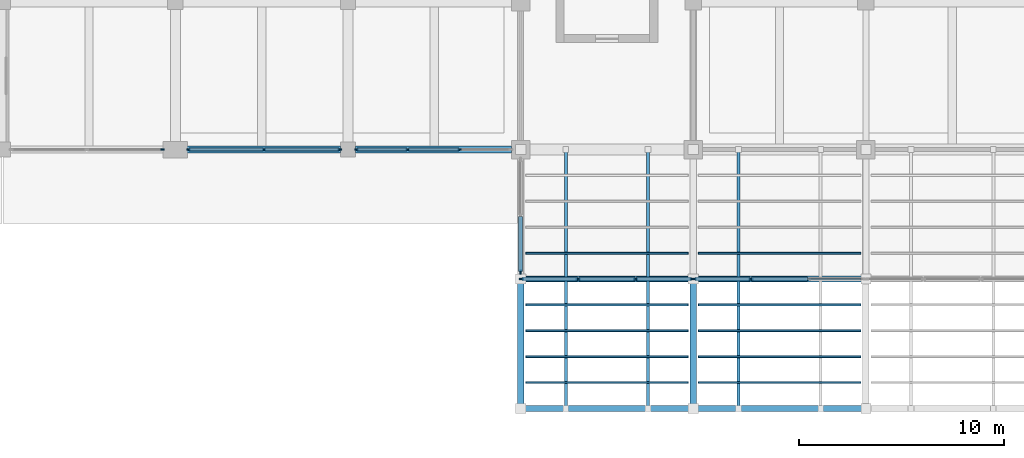
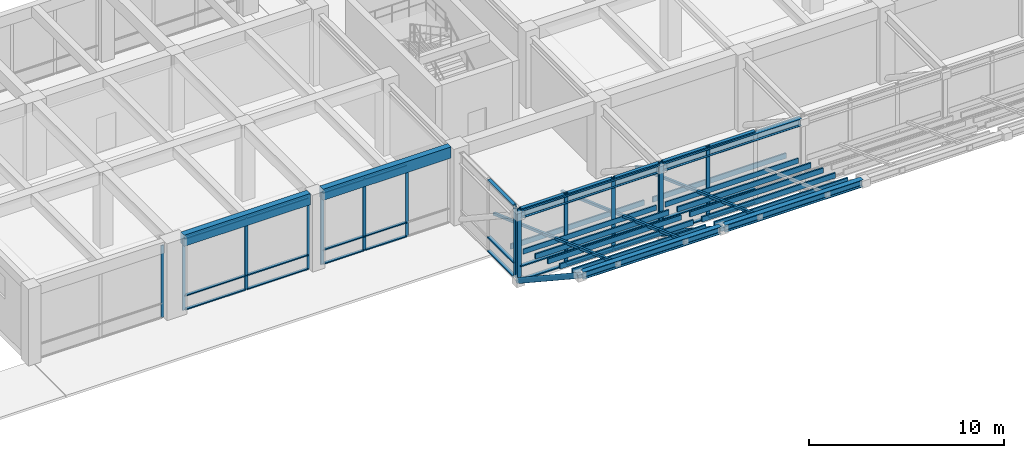
# One storey, part 4 of 52: 61 members, 6 beams, 6 elements without a shape of their own.
"""IFC4 building model written with IfcOpenShell, lengths in metres."""

from ifc_helpers import new_model, si_unit, direction, frame, origin, origin_2d, place, context, subcontext, project, spatial, rectangle, hollow_rectangle, hollow_circle, i_section, extrude, material, material_profile, profile_set, type_object, element, aggregate, save


model = new_model("IFC4")

# Units and contexts
model_context = context("Model", 3, precision=1e-05, world=origin(), true_north=direction((0.0, 1.0)))
body_context = subcontext(model_context, "Body", "Model", "MODEL_VIEW")
ifc_project = project(units=[si_unit("LENGTHUNIT", "METRE"), si_unit("AREAUNIT", "SQUARE_METRE"), si_unit("VOLUMEUNIT", "CUBIC_METRE"), si_unit("PLANEANGLEUNIT", "RADIAN"), si_unit("MASSUNIT", "GRAM", prefix="KILO")], contexts=[model_context])

# Site, building, storey
site_placement = place(None, origin())
site = spatial("IfcSite", under=ifc_project, at=site_placement, CompositionType="ELEMENT")
building_placement = place(site_placement, origin())
building = spatial("IfcBuilding", under=site, at=building_placement, Name="Kenerak Square Central Library", CompositionType="ELEMENT")
storey_placement = place(building_placement, frame((0.0, 0.0, 4.800048828125)))
storey = spatial("IfcBuildingStorey", under=building, at=storey_placement, Name="L01", CompositionType="ELEMENT", Elevation=4.800048828125)

# Members
ifc_material_1 = material(Name="Chengal hardwood timber SG1", Category="wood")
ifc_material_profile_1 = material_profile(ifc_material_1, rectangle(XDim=0.090087890625, YDim=0.320068359375, at=origin_2d()), Name="CHENGAL 90x320")
ifc_profile_set_1 = profile_set([ifc_material_profile_1], Name="Chengal hardwood timber SG1")
member_type_1 = type_object("IfcMemberType", Name="Chengal Timber Louvre Blade CL-01 90x320", PredefinedType="USERDEFINED", material=ifc_profile_set_1)
for number, where, z_axis, x_axis, name in (
    (1, (58.64990234375, 11.760009765625, 1.280029296875), (1.0, 0.0, 0.0), (0.0, 1.0, 0.0), "Chengal Soffit Louvre Blade CL-01 0006"),
    (2, (58.64990234375, 10.5, 1.73486328125), (1.0, 0.0, 0.0), (0.0, 1.0, 0.0), "Chengal Soffit Louvre Blade CL-01 0007"),
    (3, (58.64990234375, 9.239990234375, 2.18994140625), (1.0, 0.0, 0.0), (0.0, 1.0, 0.0), "Chengal Soffit Louvre Blade CL-01 0008"),
    (4, (58.64990234375, 7.97998046875, 2.64501953125), (1.0, 0.0, 0.0), (0.0, 1.0, 0.0), "Chengal Soffit Louvre Blade CL-01 0009"),
    (5, (58.64990234375, 6.719970703125, 3.099853515625), (1.0, 0.0, 0.0), (0.0, 1.0, 0.0), "Chengal Soffit Louvre Blade CL-01 0010"),
    (6, (58.64990234375, 5.4599609375, 3.554931640625), (1.0, 0.0, 0.0), (0.0, 1.0, 0.0), "Chengal Soffit Louvre Blade CL-01 0011"),
):
    element("IfcMember", number, at=place(storey_placement, frame(where, z_axis=z_axis, x_axis=x_axis)), inside=storey, type_object=member_type_1, Name=name, ObjectType="LOUVRE BLADE", PredefinedType="USERDEFINED", context=body_context, shape_type="SweptSolid", body=[
        extrude(rectangle(XDim=0.090087890625, YDim=0.320068359375, at=origin_2d()), origin(), (0.0, 0.0, 1.0), 7.900146484375),
    ])
for number, where, z_axis, x_axis, name in (
    (7, (67.050048828125, 11.760009765625, 1.280029296875), (1.0, 0.0, 0.0), (0.0, 1.0, 0.0), "Chengal Soffit Louvre Blade CL-01 0017"),
    (8, (67.050048828125, 10.5, 1.73486328125), (1.0, 0.0, 0.0), (0.0, 1.0, 0.0), "Chengal Soffit Louvre Blade CL-01 0018"),
    (9, (67.050048828125, 9.239990234375, 2.18994140625), (1.0, 0.0, 0.0), (0.0, 1.0, 0.0), "Chengal Soffit Louvre Blade CL-01 0019"),
    (10, (67.050048828125, 7.97998046875, 2.64501953125), (1.0, 0.0, 0.0), (0.0, 1.0, 0.0), "Chengal Soffit Louvre Blade CL-01 0020"),
    (11, (67.050048828125, 6.719970703125, 3.099853515625), (1.0, 0.0, 0.0), (0.0, 1.0, 0.0), "Chengal Soffit Louvre Blade CL-01 0021"),
    (12, (67.050048828125, 5.4599609375, 3.554931640625), (1.0, 0.0, 0.0), (0.0, 1.0, 0.0), "Chengal Soffit Louvre Blade CL-01 0022"),
):
    element("IfcMember", number, at=place(storey_placement, frame(where, z_axis=z_axis, x_axis=x_axis)), inside=storey, type_object=member_type_1, Name=name, ObjectType="LOUVRE BLADE", PredefinedType="USERDEFINED", context=body_context, shape_type="SweptSolid", body=[
        extrude(rectangle(XDim=0.090087890625, YDim=0.320068359375, at=origin_2d()), origin(), (0.0, 0.0, 1.0), 7.89990234375),
    ])

# Curtain wall, members
ifc_material_2 = material(Name="Anodised aluminium and solar-control low-E glazing", Category="aluminium")
curtain_wall_type_1 = type_object("IfcCurtainWallType", Name="Curtain Wall CW-V6-75x45 7575x4500", PredefinedType="USERDEFINED", material=ifc_material_2)
curtain_wall_1_placement = place(storey_placement, origin())
curtain_wall_1 = element("IfcCurtainWall", 13, at=curtain_wall_1_placement, inside=storey, type_object=curtain_wall_type_1, Name="Curtain Wall CW-V6-75x45 L01 0056", ObjectType="CURTAIN WALL", PredefinedType="USERDEFINED")
ifc_material_3 = material(Name="Anodised aluminium 6063-T6", Category="aluminium")
ifc_material_profile_2 = material_profile(ifc_material_3, rectangle(XDim=0.06494140625, YDim=0.179931640625, at=origin_2d()), Name="AL MULLION 65x180")
ifc_profile_set_2 = profile_set([ifc_material_profile_2], Name="Anodised aluminium 6063-T6")
member_type_2 = type_object("IfcMemberType", Name="Curtain Mullion CM-01 65x180", PredefinedType="MULLION", material=ifc_profile_set_2)
member_1_placement = place(storey_placement, frame((55.425048828125, 16.800048828125, 0.0), z_axis=(0.0, 0.0, 1.0), x_axis=(0.0, -1.0, 0.0)))
member_1 = element("IfcMember", 14, at=member_1_placement, type_object=member_type_2, Name="CW-V6-75x45 Mullion 2", PredefinedType="MULLION", context=body_context, shape_type="SweptSolid", body=[
    extrude(rectangle(XDim=0.06494140625, YDim=0.179931640625, at=origin_2d()), origin(), (0.0, 0.0, 1.0), 4.5),
])
member_2_placement = place(storey_placement, frame((52.89990234375, 16.800048828125, 0.0), z_axis=(0.0, 0.0, 1.0), x_axis=(0.0, -1.0, 0.0)))
member_2 = element("IfcMember", 15, at=member_2_placement, type_object=member_type_2, Name="CW-V6-75x45 Mullion 3", PredefinedType="MULLION", context=body_context, shape_type="SweptSolid", body=[
    extrude(rectangle(XDim=0.06494140625, YDim=0.179931640625, at=origin_2d()), origin(), (0.0, 0.0, 1.0), 4.5),
])
member_3_placement = place(storey_placement, frame((50.407470703125, 16.800048828125, 0.0), z_axis=(0.0, 0.0, 1.0), x_axis=(0.0, -1.0, 0.0)))
member_3 = element("IfcMember", 16, at=member_3_placement, type_object=member_type_2, Name="CW-V6-75x45 Mullion 4", PredefinedType="MULLION", context=body_context, shape_type="SweptSolid", body=[
    extrude(rectangle(XDim=0.06494140625, YDim=0.179931640625, at=origin_2d()), origin(), (0.0, 0.0, 1.0), 4.5),
])

curtain_wall_type_2 = type_object("IfcCurtainWallType", Name="Curtain Wall CW-V6-74x45 7425x4500", PredefinedType="USERDEFINED", material=ifc_material_2)
curtain_wall_2_placement = place(storey_placement, origin())
curtain_wall_2 = element("IfcCurtainWall", 17, at=curtain_wall_2_placement, inside=storey, type_object=curtain_wall_type_2, Name="Curtain Wall CW-V6-74x45 L01 0057", ObjectType="CURTAIN WALL", PredefinedType="USERDEFINED")
member_4_placement = place(storey_placement, frame((49.592529296875, 16.800048828125, 0.0), z_axis=(0.0, 0.0, 1.0), x_axis=(0.0, -1.0, 0.0)))
member_4 = element("IfcMember", 18, at=member_4_placement, type_object=member_type_2, Name="CW-V6-74x45 Mullion 1", PredefinedType="MULLION", context=body_context, shape_type="SweptSolid", body=[
    extrude(rectangle(XDim=0.06494140625, YDim=0.179931640625, at=origin_2d()), origin(), (0.0, 0.0, 1.0), 4.5),
])
member_5_placement = place(storey_placement, frame((45.91259765625, 16.800048828125, 0.0), z_axis=(0.0, 0.0, 1.0), x_axis=(0.0, -1.0, 0.0)))
member_5 = element("IfcMember", 19, at=member_5_placement, type_object=member_type_2, Name="CW-V6-74x45 Mullion 2", PredefinedType="MULLION", context=body_context, shape_type="SweptSolid", body=[
    extrude(rectangle(XDim=0.06494140625, YDim=0.179931640625, at=origin_2d()), origin(), (0.0, 0.0, 1.0), 4.5),
])
member_6_placement = place(storey_placement, frame((42.232421875, 16.800048828125, 0.0), z_axis=(0.0, 0.0, 1.0), x_axis=(0.0, -1.0, 0.0)))
member_6 = element("IfcMember", 20, at=member_6_placement, type_object=member_type_2, Name="CW-V6-74x45 Mullion 3", PredefinedType="MULLION", context=body_context, shape_type="SweptSolid", body=[
    extrude(rectangle(XDim=0.06494140625, YDim=0.179931640625, at=origin_2d()), origin(), (0.0, 0.0, 1.0), 4.5),
])

# Curtain wall, member
curtain_wall_3_placement = place(storey_placement, origin())
curtain_wall_3 = element("IfcCurtainWall", 21, at=curtain_wall_3_placement, inside=storey, type_object=curtain_wall_type_2, Name="Curtain Wall CW-V6-74x45 L01 0058", ObjectType="CURTAIN WALL", PredefinedType="USERDEFINED")
member_7_placement = place(storey_placement, frame((40.967529296875, 16.800048828125, 0.0), z_axis=(0.0, 0.0, 1.0), x_axis=(0.0, -1.0, 0.0)))
member_7 = element("IfcMember", 22, at=member_7_placement, type_object=member_type_2, Name="CW-V6-74x45 Mullion 1", PredefinedType="MULLION", context=body_context, shape_type="SweptSolid", body=[
    extrude(rectangle(XDim=0.06494140625, YDim=0.179931640625, at=origin_2d()), origin(), (0.0, 0.0, 1.0), 4.5),
])
aggregate(curtain_wall_3, [member_7])

# Curtain wall, members
curtain_wall_type_3 = type_object("IfcCurtainWallType", Name="Curtain Wall CW-V1-84x45 8400x4500", PredefinedType="USERDEFINED", material=ifc_material_2)
curtain_wall_4_placement = place(storey_placement, origin())
curtain_wall_4 = element("IfcCurtainWall", 23, at=curtain_wall_4_placement, inside=storey, type_object=curtain_wall_type_3, Name="Curtain Wall CW-V1-84x45 L01 0053", ObjectType="CURTAIN WALL", PredefinedType="USERDEFINED")
ifc_material_profile_3 = material_profile(ifc_material_3, rectangle(XDim=0.074951171875, YDim=0.219970703125, at=origin_2d()), Name="AL MULLION 75x220")
ifc_profile_set_3 = profile_set([ifc_material_profile_3], Name="Anodised aluminium 6063-T6")
member_type_3 = type_object("IfcMemberType", Name="Curtain Mullion CM-02 75x220", PredefinedType="MULLION", material=ifc_profile_set_3)
member_8_placement = place(storey_placement, frame((69.60009765625, 10.5, 0.0), z_axis=(0.0, 0.0, 1.0), x_axis=(0.0, -1.0, 0.0)))
member_8 = element("IfcMember", 24, at=member_8_placement, type_object=member_type_3, Name="CW-V1-84x45 Mullion 3", PredefinedType="MULLION", context=body_context, shape_type="SweptSolid", body=[
    extrude(rectangle(XDim=0.074951171875, YDim=0.219970703125, at=origin_2d()), origin(), (0.0, 0.0, 1.0), 4.5),
])
member_9_placement = place(storey_placement, frame((66.83740234375, 10.5, 0.0), z_axis=(0.0, 0.0, 1.0), x_axis=(0.0, -1.0, 0.0)))
member_9 = element("IfcMember", 25, at=member_9_placement, type_object=member_type_3, Name="CW-V1-84x45 Mullion 4", PredefinedType="MULLION", context=body_context, shape_type="SweptSolid", body=[
    extrude(rectangle(XDim=0.074951171875, YDim=0.219970703125, at=origin_2d()), origin(), (0.0, 0.0, 1.0), 4.5),
])

curtain_wall_5_placement = place(storey_placement, origin())
curtain_wall_5 = element("IfcCurtainWall", 26, at=curtain_wall_5_placement, inside=storey, type_object=curtain_wall_type_3, Name="Curtain Wall CW-V1-84x45 L01 0054", ObjectType="CURTAIN WALL", PredefinedType="USERDEFINED")
member_10_placement = place(storey_placement, frame((66.762451171875, 10.5, 0.0), z_axis=(0.0, 0.0, 1.0), x_axis=(0.0, -1.0, 0.0)))
member_10 = element("IfcMember", 27, at=member_10_placement, type_object=member_type_3, Name="CW-V1-84x45 Mullion 1", PredefinedType="MULLION", context=body_context, shape_type="SweptSolid", body=[
    extrude(rectangle(XDim=0.074951171875, YDim=0.219970703125, at=origin_2d()), origin(), (0.0, 0.0, 1.0), 4.5),
])
member_11_placement = place(storey_placement, frame((64.0, 10.5, 0.0), z_axis=(0.0, 0.0, 1.0), x_axis=(0.0, -1.0, 0.0)))
member_11 = element("IfcMember", 28, at=member_11_placement, type_object=member_type_3, Name="CW-V1-84x45 Mullion 2", PredefinedType="MULLION", context=body_context, shape_type="SweptSolid", body=[
    extrude(rectangle(XDim=0.074951171875, YDim=0.219970703125, at=origin_2d()), origin(), (0.0, 0.0, 1.0), 4.5),
])
member_12_placement = place(storey_placement, frame((61.199951171875, 10.5, 0.0), z_axis=(0.0, 0.0, 1.0), x_axis=(0.0, -1.0, 0.0)))
member_12 = element("IfcMember", 29, at=member_12_placement, type_object=member_type_3, Name="CW-V1-84x45 Mullion 3", PredefinedType="MULLION", context=body_context, shape_type="SweptSolid", body=[
    extrude(rectangle(XDim=0.074951171875, YDim=0.219970703125, at=origin_2d()), origin(), (0.0, 0.0, 1.0), 4.5),
])
member_13_placement = place(storey_placement, frame((58.4375, 10.5, 0.0), z_axis=(0.0, 0.0, 1.0), x_axis=(0.0, -1.0, 0.0)))
member_13 = element("IfcMember", 30, at=member_13_placement, type_object=member_type_3, Name="CW-V1-84x45 Mullion 4", PredefinedType="MULLION", context=body_context, shape_type="SweptSolid", body=[
    extrude(rectangle(XDim=0.074951171875, YDim=0.219970703125, at=origin_2d()), origin(), (0.0, 0.0, 1.0), 4.5),
])

# Curtain wall, member
curtain_wall_type_4 = type_object("IfcCurtainWallType", Name="Curtain Wall CW-V1-55x45 5550x4500", PredefinedType="USERDEFINED", material=ifc_material_2)
curtain_wall_6_placement = place(storey_placement, origin())
curtain_wall_6 = element("IfcCurtainWall", 31, at=curtain_wall_6_placement, inside=storey, type_object=curtain_wall_type_4, Name="Curtain Wall CW-V1-55x45 L01 0055", ObjectType="CURTAIN WALL", PredefinedType="USERDEFINED")
member_14_placement = place(storey_placement, frame((58.39990234375, 10.83740234375, 0.0), z_axis=(0.0, 0.0, 1.0), x_axis=(-1.0, 0.0, 0.0)))
member_14 = element("IfcMember", 32, at=member_14_placement, type_object=member_type_3, Name="CW-V1-55x45 Mullion 1", PredefinedType="MULLION", context=body_context, shape_type="SweptSolid", body=[
    extrude(rectangle(XDim=0.074951171875, YDim=0.219970703125, at=origin_2d()), origin(), (0.0, 0.0, 1.0), 4.5),
])

# Member
ifc_material_profile_4 = material_profile(ifc_material_3, rectangle(XDim=0.159912109375, YDim=0.06494140625, at=origin_2d()), Name="AL TRANSOM 160x65")
ifc_profile_set_4 = profile_set([ifc_material_profile_4], Name="Anodised aluminium 6063-T6")
member_type_4 = type_object("IfcMemberType", Name="Curtain Transom CT-11 160x65", PredefinedType="USERDEFINED", material=ifc_profile_set_4)
member_15_placement = place(storey_placement, frame((55.392578125, 16.800048828125, 0.032470703125), z_axis=(-1.0, 0.0, 0.0), x_axis=(0.0, -1.0, 0.0)))
member_15 = element("IfcMember", 33, at=member_15_placement, type_object=member_type_4, Name="CW-V6-75x45 Transom 2.1", ObjectType="TRANSOM", PredefinedType="USERDEFINED", context=body_context, shape_type="SweptSolid", body=[
    extrude(rectangle(XDim=0.159912109375, YDim=0.06494140625, at=origin_2d()), origin(), (0.0, 0.0, 1.0), 2.4599609375),
])

member_16_placement = place(storey_placement, frame((55.392578125, 16.800048828125, 0.89990234375), z_axis=(-1.0, 0.0, 0.0), x_axis=(0.0, -1.0, 0.0)))
member_16 = element("IfcMember", 34, at=member_16_placement, type_object=member_type_4, Name="CW-V6-75x45 Transom 2.2", ObjectType="TRANSOM", PredefinedType="USERDEFINED", context=body_context, shape_type="SweptSolid", body=[
    extrude(rectangle(XDim=0.159912109375, YDim=0.06494140625, at=origin_2d()), origin(), (0.0, 0.0, 1.0), 2.4599609375),
])

member_17_placement = place(storey_placement, frame((55.392578125, 16.800048828125, 4.467529296875), z_axis=(-1.0, 0.0, 0.0), x_axis=(0.0, -1.0, 0.0)))
member_17 = element("IfcMember", 35, at=member_17_placement, type_object=member_type_4, Name="CW-V6-75x45 Transom 2.3", ObjectType="TRANSOM", PredefinedType="USERDEFINED", context=body_context, shape_type="SweptSolid", body=[
    extrude(rectangle(XDim=0.159912109375, YDim=0.06494140625, at=origin_2d()), origin(), (0.0, 0.0, 1.0), 2.4599609375),
])

member_18_placement = place(storey_placement, frame((52.867431640625, 16.800048828125, 0.032470703125), z_axis=(-1.0, 0.0, 0.0), x_axis=(0.0, -1.0, 0.0)))
member_18 = element("IfcMember", 36, at=member_18_placement, type_object=member_type_4, Name="CW-V6-75x45 Transom 3.1", ObjectType="TRANSOM", PredefinedType="USERDEFINED", context=body_context, shape_type="SweptSolid", body=[
    extrude(rectangle(XDim=0.159912109375, YDim=0.06494140625, at=origin_2d()), origin(), (0.0, 0.0, 1.0), 2.427490234375),
])

member_19_placement = place(storey_placement, frame((52.867431640625, 16.800048828125, 0.89990234375), z_axis=(-1.0, 0.0, 0.0), x_axis=(0.0, -1.0, 0.0)))
member_19 = element("IfcMember", 37, at=member_19_placement, type_object=member_type_4, Name="CW-V6-75x45 Transom 3.2", ObjectType="TRANSOM", PredefinedType="USERDEFINED", context=body_context, shape_type="SweptSolid", body=[
    extrude(rectangle(XDim=0.159912109375, YDim=0.06494140625, at=origin_2d()), origin(), (0.0, 0.0, 1.0), 2.427490234375),
])

member_20_placement = place(storey_placement, frame((52.867431640625, 16.800048828125, 4.467529296875), z_axis=(-1.0, 0.0, 0.0), x_axis=(0.0, -1.0, 0.0)))
member_20 = element("IfcMember", 38, at=member_20_placement, type_object=member_type_4, Name="CW-V6-75x45 Transom 3.3", ObjectType="TRANSOM", PredefinedType="USERDEFINED", context=body_context, shape_type="SweptSolid", body=[
    extrude(rectangle(XDim=0.159912109375, YDim=0.06494140625, at=origin_2d()), origin(), (0.0, 0.0, 1.0), 2.427490234375),
])

aggregate(curtain_wall_1, [member_1, member_2, member_3, member_15, member_16, member_17, member_18, member_19, member_20])

member_21_placement = place(storey_placement, frame((49.56005859375, 16.800048828125, 0.032470703125), z_axis=(-1.0, 0.0, 0.0), x_axis=(0.0, -1.0, 0.0)))
member_21 = element("IfcMember", 39, at=member_21_placement, type_object=member_type_4, Name="CW-V6-74x45 Transom 1.1", ObjectType="TRANSOM", PredefinedType="USERDEFINED", context=body_context, shape_type="SweptSolid", body=[
    extrude(rectangle(XDim=0.159912109375, YDim=0.06494140625, at=origin_2d()), origin(), (0.0, 0.0, 1.0), 3.614990234375),
])

member_22_placement = place(storey_placement, frame((49.56005859375, 16.800048828125, 0.89990234375), z_axis=(-1.0, 0.0, 0.0), x_axis=(0.0, -1.0, 0.0)))
member_22 = element("IfcMember", 40, at=member_22_placement, type_object=member_type_4, Name="CW-V6-74x45 Transom 1.2", ObjectType="TRANSOM", PredefinedType="USERDEFINED", context=body_context, shape_type="SweptSolid", body=[
    extrude(rectangle(XDim=0.159912109375, YDim=0.06494140625, at=origin_2d()), origin(), (0.0, 0.0, 1.0), 3.614990234375),
])

member_23_placement = place(storey_placement, frame((49.56005859375, 16.800048828125, 4.467529296875), z_axis=(-1.0, 0.0, 0.0), x_axis=(0.0, -1.0, 0.0)))
member_23 = element("IfcMember", 41, at=member_23_placement, type_object=member_type_4, Name="CW-V6-74x45 Transom 1.3", ObjectType="TRANSOM", PredefinedType="USERDEFINED", context=body_context, shape_type="SweptSolid", body=[
    extrude(rectangle(XDim=0.159912109375, YDim=0.06494140625, at=origin_2d()), origin(), (0.0, 0.0, 1.0), 3.614990234375),
])

member_24_placement = place(storey_placement, frame((45.8798828125, 16.800048828125, 0.032470703125), z_axis=(-1.0, 0.0, 0.0), x_axis=(0.0, -1.0, 0.0)))
member_24 = element("IfcMember", 42, at=member_24_placement, type_object=member_type_4, Name="CW-V6-74x45 Transom 2.1", ObjectType="TRANSOM", PredefinedType="USERDEFINED", context=body_context, shape_type="SweptSolid", body=[
    extrude(rectangle(XDim=0.159912109375, YDim=0.06494140625, at=origin_2d()), origin(), (0.0, 0.0, 1.0), 3.614990234375),
])

member_25_placement = place(storey_placement, frame((45.8798828125, 16.800048828125, 0.89990234375), z_axis=(-1.0, 0.0, 0.0), x_axis=(0.0, -1.0, 0.0)))
member_25 = element("IfcMember", 43, at=member_25_placement, type_object=member_type_4, Name="CW-V6-74x45 Transom 2.2", ObjectType="TRANSOM", PredefinedType="USERDEFINED", context=body_context, shape_type="SweptSolid", body=[
    extrude(rectangle(XDim=0.159912109375, YDim=0.06494140625, at=origin_2d()), origin(), (0.0, 0.0, 1.0), 3.614990234375),
])

member_26_placement = place(storey_placement, frame((45.8798828125, 16.800048828125, 4.467529296875), z_axis=(-1.0, 0.0, 0.0), x_axis=(0.0, -1.0, 0.0)))
member_26 = element("IfcMember", 44, at=member_26_placement, type_object=member_type_4, Name="CW-V6-74x45 Transom 2.3", ObjectType="TRANSOM", PredefinedType="USERDEFINED", context=body_context, shape_type="SweptSolid", body=[
    extrude(rectangle(XDim=0.159912109375, YDim=0.06494140625, at=origin_2d()), origin(), (0.0, 0.0, 1.0), 3.614990234375),
])

aggregate(curtain_wall_2, [member_4, member_5, member_6, member_21, member_22, member_23, member_24, member_25, member_26])

ifc_material_profile_5 = material_profile(ifc_material_3, rectangle(XDim=0.199951171875, YDim=0.074951171875, at=origin_2d()), Name="AL TRANSOM 200x75")
ifc_profile_set_5 = profile_set([ifc_material_profile_5], Name="Anodised aluminium 6063-T6")
member_type_5 = type_object("IfcMemberType", Name="Curtain Transom CT-12 200x75", PredefinedType="USERDEFINED", material=ifc_profile_set_5)
member_27_placement = place(storey_placement, frame((72.362548828125, 10.5, 0.037353515625), z_axis=(-1.0, 0.0, 0.0), x_axis=(0.0, -1.0, 0.0)))
member_27 = element("IfcMember", 45, at=member_27_placement, type_object=member_type_5, Name="CW-V1-84x45 Transom 2.1", ObjectType="TRANSOM", PredefinedType="USERDEFINED", context=body_context, shape_type="SweptSolid", body=[
    extrude(rectangle(XDim=0.199951171875, YDim=0.074951171875, at=origin_2d()), origin(), (0.0, 0.0, 1.0), 2.72509765625),
])

member_28_placement = place(storey_placement, frame((72.362548828125, 10.5, 0.89990234375), z_axis=(-1.0, 0.0, 0.0), x_axis=(0.0, -1.0, 0.0)))
member_28 = element("IfcMember", 46, at=member_28_placement, type_object=member_type_5, Name="CW-V1-84x45 Transom 2.2", ObjectType="TRANSOM", PredefinedType="USERDEFINED", context=body_context, shape_type="SweptSolid", body=[
    extrude(rectangle(XDim=0.199951171875, YDim=0.074951171875, at=origin_2d()), origin(), (0.0, 0.0, 1.0), 2.72509765625),
])

member_29_placement = place(storey_placement, frame((72.362548828125, 10.5, 4.46240234375), z_axis=(-1.0, 0.0, 0.0), x_axis=(0.0, -1.0, 0.0)))
member_29 = element("IfcMember", 47, at=member_29_placement, type_object=member_type_5, Name="CW-V1-84x45 Transom 2.3", ObjectType="TRANSOM", PredefinedType="USERDEFINED", context=body_context, shape_type="SweptSolid", body=[
    extrude(rectangle(XDim=0.199951171875, YDim=0.074951171875, at=origin_2d()), origin(), (0.0, 0.0, 1.0), 2.72509765625),
])

member_30_placement = place(storey_placement, frame((69.5625, 10.5, 0.037353515625), z_axis=(-1.0, 0.0, 0.0), x_axis=(0.0, -1.0, 0.0)))
member_30 = element("IfcMember", 48, at=member_30_placement, type_object=member_type_5, Name="CW-V1-84x45 Transom 3.1", ObjectType="TRANSOM", PredefinedType="USERDEFINED", context=body_context, shape_type="SweptSolid", body=[
    extrude(rectangle(XDim=0.199951171875, YDim=0.074951171875, at=origin_2d()), origin(), (0.0, 0.0, 1.0), 2.6875),
])

member_31_placement = place(storey_placement, frame((69.5625, 10.5, 0.89990234375), z_axis=(-1.0, 0.0, 0.0), x_axis=(0.0, -1.0, 0.0)))
member_31 = element("IfcMember", 49, at=member_31_placement, type_object=member_type_5, Name="CW-V1-84x45 Transom 3.2", ObjectType="TRANSOM", PredefinedType="USERDEFINED", context=body_context, shape_type="SweptSolid", body=[
    extrude(rectangle(XDim=0.199951171875, YDim=0.074951171875, at=origin_2d()), origin(), (0.0, 0.0, 1.0), 2.6875),
])

member_32_placement = place(storey_placement, frame((69.5625, 10.5, 4.46240234375), z_axis=(-1.0, 0.0, 0.0), x_axis=(0.0, -1.0, 0.0)))
member_32 = element("IfcMember", 50, at=member_32_placement, type_object=member_type_5, Name="CW-V1-84x45 Transom 3.3", ObjectType="TRANSOM", PredefinedType="USERDEFINED", context=body_context, shape_type="SweptSolid", body=[
    extrude(rectangle(XDim=0.199951171875, YDim=0.074951171875, at=origin_2d()), origin(), (0.0, 0.0, 1.0), 2.6875),
])

aggregate(curtain_wall_4, [member_8, member_9, member_27, member_28, member_29, member_30, member_31, member_32])

member_33_placement = place(storey_placement, frame((66.72509765625, 10.5, 0.037353515625), z_axis=(-1.0, 0.0, 0.0), x_axis=(0.0, -1.0, 0.0)))
member_33 = element("IfcMember", 51, at=member_33_placement, type_object=member_type_5, Name="CW-V1-84x45 Transom 1.1", ObjectType="TRANSOM", PredefinedType="USERDEFINED", context=body_context, shape_type="SweptSolid", body=[
    extrude(rectangle(XDim=0.199951171875, YDim=0.074951171875, at=origin_2d()), origin(), (0.0, 0.0, 1.0), 2.6875),
])

member_34_placement = place(storey_placement, frame((66.72509765625, 10.5, 0.89990234375), z_axis=(-1.0, 0.0, 0.0), x_axis=(0.0, -1.0, 0.0)))
member_34 = element("IfcMember", 52, at=member_34_placement, type_object=member_type_5, Name="CW-V1-84x45 Transom 1.2", ObjectType="TRANSOM", PredefinedType="USERDEFINED", context=body_context, shape_type="SweptSolid", body=[
    extrude(rectangle(XDim=0.199951171875, YDim=0.074951171875, at=origin_2d()), origin(), (0.0, 0.0, 1.0), 2.6875),
])

member_35_placement = place(storey_placement, frame((66.72509765625, 10.5, 4.46240234375), z_axis=(-1.0, 0.0, 0.0), x_axis=(0.0, -1.0, 0.0)))
member_35 = element("IfcMember", 53, at=member_35_placement, type_object=member_type_5, Name="CW-V1-84x45 Transom 1.3", ObjectType="TRANSOM", PredefinedType="USERDEFINED", context=body_context, shape_type="SweptSolid", body=[
    extrude(rectangle(XDim=0.199951171875, YDim=0.074951171875, at=origin_2d()), origin(), (0.0, 0.0, 1.0), 2.6875),
])

member_36_placement = place(storey_placement, frame((63.96240234375, 10.5, 0.037353515625), z_axis=(-1.0, 0.0, 0.0), x_axis=(0.0, -1.0, 0.0)))
member_36 = element("IfcMember", 54, at=member_36_placement, type_object=member_type_5, Name="CW-V1-84x45 Transom 2.1", ObjectType="TRANSOM", PredefinedType="USERDEFINED", context=body_context, shape_type="SweptSolid", body=[
    extrude(rectangle(XDim=0.199951171875, YDim=0.074951171875, at=origin_2d()), origin(), (0.0, 0.0, 1.0), 2.724853515625),
])

member_37_placement = place(storey_placement, frame((63.96240234375, 10.5, 0.89990234375), z_axis=(-1.0, 0.0, 0.0), x_axis=(0.0, -1.0, 0.0)))
member_37 = element("IfcMember", 55, at=member_37_placement, type_object=member_type_5, Name="CW-V1-84x45 Transom 2.2", ObjectType="TRANSOM", PredefinedType="USERDEFINED", context=body_context, shape_type="SweptSolid", body=[
    extrude(rectangle(XDim=0.199951171875, YDim=0.074951171875, at=origin_2d()), origin(), (0.0, 0.0, 1.0), 2.724853515625),
])

member_38_placement = place(storey_placement, frame((63.96240234375, 10.5, 4.46240234375), z_axis=(-1.0, 0.0, 0.0), x_axis=(0.0, -1.0, 0.0)))
member_38 = element("IfcMember", 56, at=member_38_placement, type_object=member_type_5, Name="CW-V1-84x45 Transom 2.3", ObjectType="TRANSOM", PredefinedType="USERDEFINED", context=body_context, shape_type="SweptSolid", body=[
    extrude(rectangle(XDim=0.199951171875, YDim=0.074951171875, at=origin_2d()), origin(), (0.0, 0.0, 1.0), 2.724853515625),
])

member_39_placement = place(storey_placement, frame((61.16259765625, 10.5, 0.037353515625), z_axis=(-1.0, 0.0, 0.0), x_axis=(0.0, -1.0, 0.0)))
member_39 = element("IfcMember", 57, at=member_39_placement, type_object=member_type_5, Name="CW-V1-84x45 Transom 3.1", ObjectType="TRANSOM", PredefinedType="USERDEFINED", context=body_context, shape_type="SweptSolid", body=[
    extrude(rectangle(XDim=0.199951171875, YDim=0.074951171875, at=origin_2d()), origin(), (0.0, 0.0, 1.0), 2.6875),
])

member_40_placement = place(storey_placement, frame((61.16259765625, 10.5, 0.89990234375), z_axis=(-1.0, 0.0, 0.0), x_axis=(0.0, -1.0, 0.0)))
member_40 = element("IfcMember", 58, at=member_40_placement, type_object=member_type_5, Name="CW-V1-84x45 Transom 3.2", ObjectType="TRANSOM", PredefinedType="USERDEFINED", context=body_context, shape_type="SweptSolid", body=[
    extrude(rectangle(XDim=0.199951171875, YDim=0.074951171875, at=origin_2d()), origin(), (0.0, 0.0, 1.0), 2.6875),
])

member_41_placement = place(storey_placement, frame((61.16259765625, 10.5, 4.46240234375), z_axis=(-1.0, 0.0, 0.0), x_axis=(0.0, -1.0, 0.0)))
member_41 = element("IfcMember", 59, at=member_41_placement, type_object=member_type_5, Name="CW-V1-84x45 Transom 3.3", ObjectType="TRANSOM", PredefinedType="USERDEFINED", context=body_context, shape_type="SweptSolid", body=[
    extrude(rectangle(XDim=0.199951171875, YDim=0.074951171875, at=origin_2d()), origin(), (0.0, 0.0, 1.0), 2.6875),
])

aggregate(curtain_wall_5, [member_10, member_11, member_12, member_13, member_33, member_34, member_35, member_36, member_37, member_38, member_39, member_40, member_41])

member_42_placement = place(storey_placement, frame((58.39990234375, 10.875, 0.037353515625), z_axis=(0.0, 1.0, 0.0), x_axis=(-1.0, 0.0, 0.0)))
member_42 = element("IfcMember", 60, at=member_42_placement, type_object=member_type_5, Name="CW-V1-55x45 Transom 1.1", ObjectType="TRANSOM", PredefinedType="USERDEFINED", context=body_context, shape_type="SweptSolid", body=[
    extrude(rectangle(XDim=0.199951171875, YDim=0.074951171875, at=origin_2d()), origin(), (0.0, 0.0, 1.0), 2.66259765625),
])

member_43_placement = place(storey_placement, frame((58.39990234375, 10.875, 0.89990234375), z_axis=(0.0, 1.0, 0.0), x_axis=(-1.0, 0.0, 0.0)))
member_43 = element("IfcMember", 61, at=member_43_placement, type_object=member_type_5, Name="CW-V1-55x45 Transom 1.2", ObjectType="TRANSOM", PredefinedType="USERDEFINED", context=body_context, shape_type="SweptSolid", body=[
    extrude(rectangle(XDim=0.199951171875, YDim=0.074951171875, at=origin_2d()), origin(), (0.0, 0.0, 1.0), 2.66259765625),
])

member_44_placement = place(storey_placement, frame((58.39990234375, 10.875, 4.46240234375), z_axis=(0.0, 1.0, 0.0), x_axis=(-1.0, 0.0, 0.0)))
member_44 = element("IfcMember", 62, at=member_44_placement, type_object=member_type_5, Name="CW-V1-55x45 Transom 1.3", ObjectType="TRANSOM", PredefinedType="USERDEFINED", context=body_context, shape_type="SweptSolid", body=[
    extrude(rectangle(XDim=0.199951171875, YDim=0.074951171875, at=origin_2d()), origin(), (0.0, 0.0, 1.0), 2.66259765625),
])

aggregate(curtain_wall_6, [member_14, member_42, member_43, member_44])

# Beams
ifc_material_4 = material(Name="Concrete C40/50", Category="concrete")
ifc_material_profile_6 = material_profile(ifc_material_4, rectangle(XDim=0.35009765625, YDim=0.699951171875, at=origin_2d()), Name="RC 350x700")
ifc_profile_set_6 = profile_set([ifc_material_profile_6], Name="Concrete C40/50")
beam_type_1 = type_object("IfcBeamType", Name="Expressed Spandrel Beam SP-01 RC 350x700 C40/50", PredefinedType="SPANDREL", material=ifc_profile_set_6)
beam_1_placement = place(storey_placement, frame((42.14990234375, 16.800048828125, 4.449951171875), z_axis=(1.0, 0.0, 0.0), x_axis=(0.0, 1.0, 0.0)))
element("IfcBeam", 63, at=beam_1_placement, inside=storey, type_object=beam_type_1, Name="Beam SP-01 L01 0859", PredefinedType="SPANDREL", context=body_context, shape_type="SweptSolid", body=[
    extrude(rectangle(XDim=0.35009765625, YDim=0.699951171875, at=origin_2d()), origin(), (0.0, 0.0, 1.0), 7.47509765625),
])
beam_2_placement = place(storey_placement, frame((50.375, 16.800048828125, 4.449951171875), z_axis=(1.0, 0.0, 0.0), x_axis=(0.0, 1.0, 0.0)))
element("IfcBeam", 64, at=beam_2_placement, inside=storey, type_object=beam_type_1, Name="Beam SP-01 L01 0860", PredefinedType="SPANDREL", context=body_context, shape_type="SweptSolid", body=[
    extrude(rectangle(XDim=0.35009765625, YDim=0.699951171875, at=origin_2d()), origin(), (0.0, 0.0, 1.0), 7.574951171875),
])
ifc_material_5 = material(Name="Steel S355", Category="steel")
ifc_material_profile_7 = material_profile(ifc_material_5, i_section(OverallWidth=0.300048828125, OverallDepth=0.449951171875, WebThickness=0.013916015625, FlangeThickness=0.02587890625, FilletRadius=0.027099609375, at=origin_2d()), Name="HEB 450")
ifc_profile_set_7 = profile_set([ifc_material_profile_7], Name="Steel S355")
beam_type_2 = type_object("IfcBeamType", Name="Overhang Cross Girder SB-04 HEB 450 S355", PredefinedType="BEAM", material=ifc_profile_set_7)
beam_3_placement = place(storey_placement, frame((58.52001953125, 4.199951171875, 4.14990234375), z_axis=(1.0, 0.0, 0.0), x_axis=(0.0, 1.0, 0.0)))
element("IfcBeam", 65, at=beam_3_placement, inside=storey, type_object=beam_type_2, Name="Overhang Cross Girder SB-04 L01 1705", PredefinedType="BEAM", context=body_context, shape_type="SweptSolid", body=[
    extrude(i_section(OverallWidth=0.300048828125, OverallDepth=0.449951171875, WebThickness=0.013916015625, FlangeThickness=0.02587890625, FilletRadius=0.027099609375, at=origin_2d()), origin(), (0.0, 0.0, 1.0), 8.159912109375),
])
beam_4_placement = place(storey_placement, frame((66.919921875, 4.199951171875, 4.14990234375), z_axis=(1.0, 0.0, 0.0), x_axis=(0.0, 1.0, 0.0)))
element("IfcBeam", 66, at=beam_4_placement, inside=storey, type_object=beam_type_2, Name="Overhang Cross Girder SB-04 L01 1706", PredefinedType="BEAM", context=body_context, shape_type="SweptSolid", body=[
    extrude(i_section(OverallWidth=0.300048828125, OverallDepth=0.449951171875, WebThickness=0.013916015625, FlangeThickness=0.02587890625, FilletRadius=0.027099609375, at=origin_2d()), origin(), (0.0, 0.0, 1.0), 8.16015625),
])
beam_5_placement = place(storey_placement, frame((58.52001953125, 10.5, 4.14990234375), z_axis=(1.0, 0.0, 0.0), x_axis=(0.0, 1.0, 0.0)))
element("IfcBeam", 67, at=beam_5_placement, inside=storey, type_object=beam_type_2, Name="Overhang Cross Girder SB-04 L01 1712", PredefinedType="BEAM", context=body_context, shape_type="SweptSolid", body=[
    extrude(i_section(OverallWidth=0.300048828125, OverallDepth=0.449951171875, WebThickness=0.013916015625, FlangeThickness=0.02587890625, FilletRadius=0.027099609375, at=origin_2d()), origin(), (0.0, 0.0, 1.0), 8.159912109375),
])
beam_6_placement = place(storey_placement, frame((66.919921875, 10.5, 4.14990234375), z_axis=(1.0, 0.0, 0.0), x_axis=(0.0, 1.0, 0.0)))
element("IfcBeam", 68, at=beam_6_placement, inside=storey, type_object=beam_type_2, Name="Overhang Cross Girder SB-04 L01 1713", PredefinedType="BEAM", context=body_context, shape_type="SweptSolid", body=[
    extrude(i_section(OverallWidth=0.300048828125, OverallDepth=0.449951171875, WebThickness=0.013916015625, FlangeThickness=0.02587890625, FilletRadius=0.027099609375, at=origin_2d()), origin(), (0.0, 0.0, 1.0), 8.16015625),
])

# Members
ifc_material_profile_8 = material_profile(ifc_material_5, hollow_circle(Radius=0.161865234375, WallThickness=0.012451171875, at=origin_2d()), Name="CHS 323.9x12.5")
ifc_profile_set_8 = profile_set([ifc_material_profile_8], Name="Steel S355")
member_type_6 = type_object("IfcMemberType", Name="Raking Overhang Strut RK-01 CHS 323.9x12.5 S355", PredefinedType="STRUT", material=ifc_profile_set_8)
for number, where, z_axis, x_axis, name in (
    (69, (58.39990234375, 10.5, 0.0), (0.0, -0.835104509682, 0.55009131779), (1.0, 0.0, 0.0), "Raking Tip Strut RK-01 1"),
    (70, (66.800048828125, 10.5, 0.0), (0.0, -0.835104509682, 0.55009131779), (1.0, 0.0, 0.0), "Raking Tip Strut RK-01 2"),
):
    element("IfcMember", number, at=place(storey_placement, frame(where, z_axis=z_axis, x_axis=x_axis)), inside=storey, type_object=member_type_6, Name=name, PredefinedType="STRUT", context=body_context, shape_type="SweptSolid", body=[
        extrude(hollow_circle(Radius=0.161865234375, WallThickness=0.012451171875, at=origin_2d()), origin(), (0.0, 0.0, 1.0), 7.5439453125),
    ])
ifc_material_profile_9 = material_profile(ifc_material_5, hollow_rectangle(XDim=0.14990234375, YDim=0.14990234375, WallThickness=0.008056640625, at=origin_2d()), Name="SHS 150x150x8.0")
ifc_profile_set_9 = profile_set([ifc_material_profile_9], Name="Steel S355")
member_type_7 = type_object("IfcMemberType", Name="Soffit Subframe Strut TM-05 SHS 150x150x8 S355", PredefinedType="STRUT", material=ifc_profile_set_9)
for number, where, z_axis, x_axis, name in (
    (71, (60.60009765625, 16.800048828125, -0.400146484375), (0.0, -0.940553576257, 0.33964535944), (1.0, 0.0, 0.0), "Soffit Subframe Strut TM-05 0001"),
    (72, (64.60009765625, 16.800048828125, -0.400146484375), (0.0, -0.940553576257, 0.33964535944), (1.0, 0.0, 0.0), "Soffit Subframe Strut TM-05 0002"),
    (73, (69.0, 16.800048828125, -0.400146484375), (0.0, -0.940553576257, 0.33964535944), (1.0, 0.0, 0.0), "Soffit Subframe Strut TM-05 0012"),
):
    element("IfcMember", number, at=place(storey_placement, frame(where, z_axis=z_axis, x_axis=x_axis)), inside=storey, type_object=member_type_7, Name=name, PredefinedType="STRUT", context=body_context, shape_type="SweptSolid", body=[
        extrude(hollow_rectangle(XDim=0.14990234375, YDim=0.14990234375, WallThickness=0.008056640625, at=origin_2d()), origin(), (0.0, 0.0, 1.0), 13.396484375),
    ])

save(model, "model.ifc")
